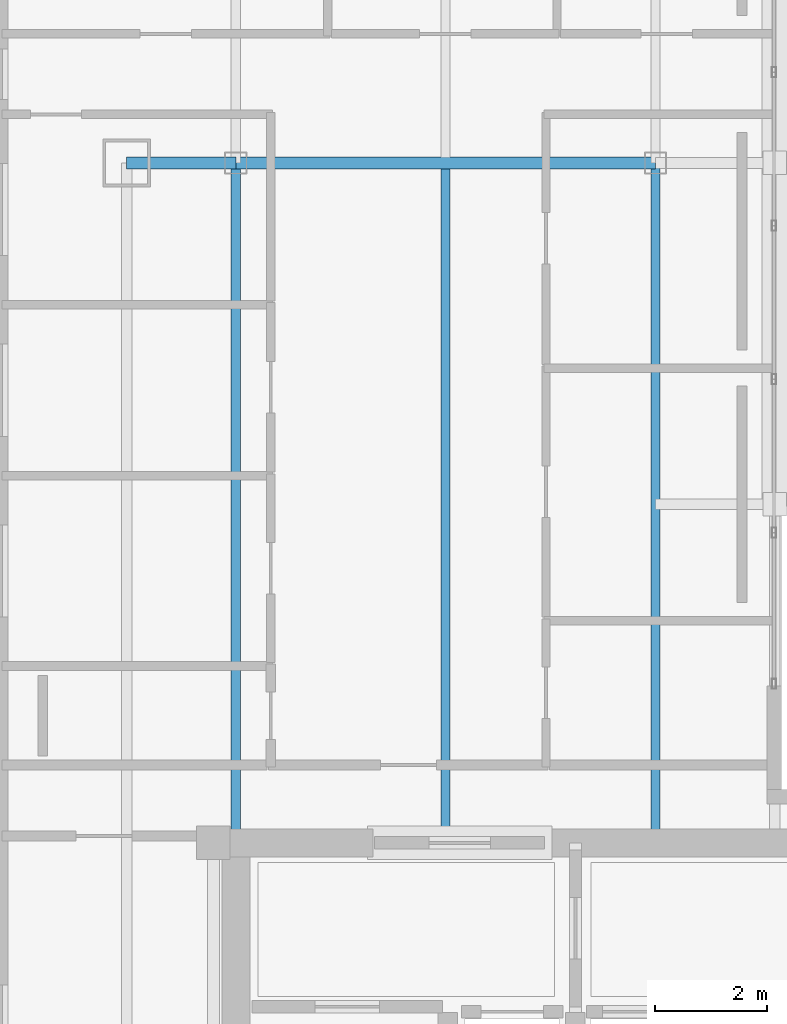
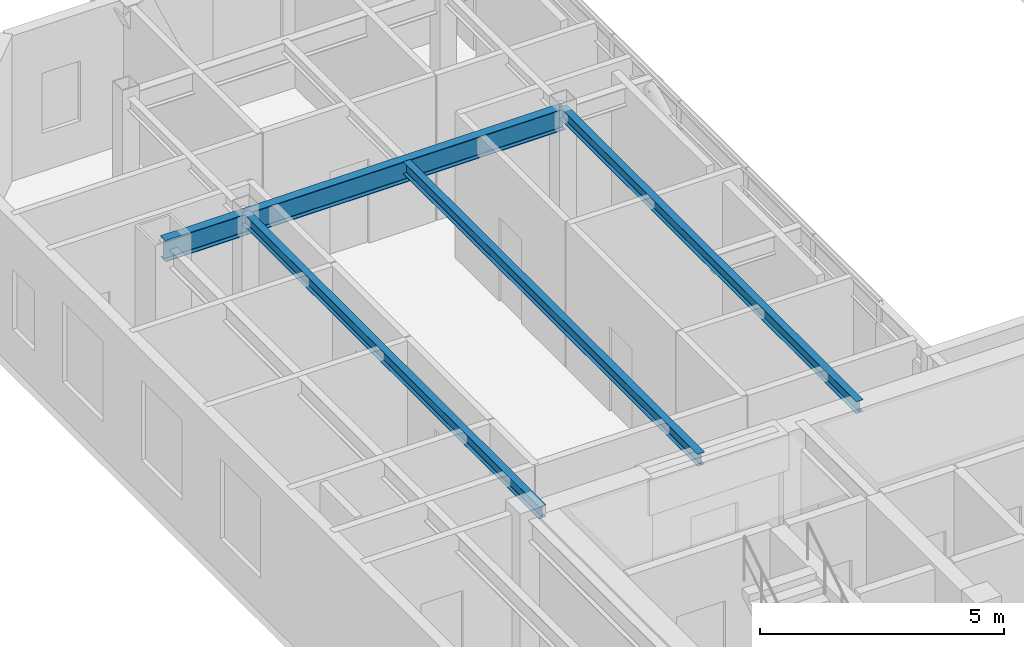
# One storey, part 5 of 18: 5 beams.
"""IFC4 building model written with IfcOpenShell, lengths in metres."""

import ifcopenshell
import ifcopenshell.guid

model = None  # the IFC model being written
_history = None  # IfcOwnerHistory: only IFC2X3 demands one
_inside = {}  # id of a spatial element -> (the spatial element, [elements in it])
_under = {}  # id of a project, library or spatial element -> (it, [spatial elements below it])
_declared = {}  # id of a project -> (the project, [libraries it declares])
_typed = {}  # id of a type object -> (the type object, [elements of that type])
_made_of = {}  # id of a material, layer set ... -> (it, [elements and type objects made of it])


def new_model(schema):
    """Start an empty IFC model of exactly this schema.

    Asked for "IFC4X3", IfcOpenShell would pick the latest addendum, in which some entities
    have other attributes; the version numbers below select the first issue.
    IFC2X3 requires an IfcOwnerHistory on every rooted entity: one is made here for all.
    """
    global model, _history
    if schema == "IFC4X3":
        model = ifcopenshell.file(schema_version=(4, 3, 0, 0))
    else:
        model = ifcopenshell.file(schema=schema)
    _inside.clear()
    _under.clear()
    _declared.clear()
    _typed.clear()
    _made_of.clear()
    _history = None
    if model.schema == "IFC2X3":
        org = make("IfcOrganization", Name="unknown")
        user = make(
            "IfcPersonAndOrganization",
            ThePerson=make("IfcPerson", FamilyName="unknown"),
            TheOrganization=org,
        )
        app = make(
            "IfcApplication",
            ApplicationDeveloper=org,
            Version="unknown",
            ApplicationFullName="unknown",
            ApplicationIdentifier="unknown",
        )
        _history = make(
            "IfcOwnerHistory",
            OwningUser=user,
            OwningApplication=app,
            ChangeAction="ADDED",
            CreationDate=0,
        )
    return model


def make(cls, **values):
    """One entity of the class cls with the attributes given. An attribute that is None is left unset."""
    return model.create_entity(
        cls, **{name: value for name, value in values.items() if value is not None}
    )


def rooted(cls, **values):
    """An entity with a GlobalId (a new one), such as an element, a storey or a relation."""
    return make(cls, GlobalId=ifcopenshell.guid.new(), OwnerHistory=_history, **values)


def si_unit(unit_type, name, prefix=None):
    """IfcSIUnit, for example si_unit("LENGTHUNIT", "METRE", prefix="MILLI")."""
    return make("IfcSIUnit", UnitType=unit_type, Prefix=prefix, Name=name)


def assignment(units):
    """IfcUnitAssignment: the units of a project."""
    return None if units is None else make("IfcUnitAssignment", Units=units)


def point(xyz):
    """IfcCartesianPoint."""
    return None if xyz is None else make("IfcCartesianPoint", Coordinates=xyz)


def direction(xyz):
    """IfcDirection."""
    return None if xyz is None else make("IfcDirection", DirectionRatios=xyz)


def frame(location, z_axis=None, x_axis=None):
    """IfcAxis2Placement3D, a coordinate frame: its origin and axes. An axis left out is left unset."""
    return make(
        "IfcAxis2Placement3D",
        Location=point(location),
        Axis=direction(z_axis),
        RefDirection=direction(x_axis),
    )


def frame_2d(location, x_axis=None):
    """IfcAxis2Placement2D, a coordinate frame in the plane: its origin and x axis."""
    return make(
        "IfcAxis2Placement2D", Location=point(location), RefDirection=direction(x_axis)
    )


def origin():
    """The frame at (0, 0, 0) with its axes left unset."""
    return frame((0.0, 0.0, 0.0))


def origin_2d():
    """The frame at (0, 0) in the plane with its x axis left unset."""
    return frame_2d((0.0, 0.0))


def place(relative_to, where):
    """IfcLocalPlacement: puts the frame where relative to a parent placement (None: the world)."""
    return make(
        "IfcLocalPlacement", PlacementRelTo=relative_to, RelativePlacement=where
    )


def context(
    kind, dimensions, precision=None, world=None, true_north=None, identifier=None
):
    """IfcGeometricRepresentationContext, for example the 3D "Model" context."""
    return make(
        "IfcGeometricRepresentationContext",
        ContextIdentifier=identifier,
        ContextType=kind,
        CoordinateSpaceDimension=dimensions,
        Precision=precision,
        WorldCoordinateSystem=world,
        TrueNorth=true_north,
    )


def subcontext(parent, identifier, kind, view, scale=None):
    """IfcGeometricRepresentationSubContext, for example "Body" below "Model"."""
    return make(
        "IfcGeometricRepresentationSubContext",
        ContextIdentifier=identifier,
        ContextType=kind,
        ParentContext=parent,
        TargetScale=scale,
        TargetView=view,
    )


def project(units=None, contexts=None):
    """IfcProject with its units and contexts."""
    return rooted(
        "IfcProject",
        Name="project",
        RepresentationContexts=contexts,
        UnitsInContext=assignment(units),
    )


def spatial(cls, under=None, at=None, **own):
    """A site, building, storey or space (cls), placed at a placement, below another one or the project."""
    s = rooted(cls, ObjectPlacement=at, **own)
    if under is not None:
        _under.setdefault(under.id(), (under, []))[1].append(s)
    return s


def profile(cls, at=None, kind="AREA", **sizes):
    """A parametric profile (cls). Its sizes go by their IFC names, for example OverallWidth=200.0."""
    return make(cls, ProfileType=kind, Position=at, **sizes)


def i_section(**sizes):
    """IfcIShapeProfileDef."""
    return profile("IfcIShapeProfileDef", **sizes)


def extrude(swept, where, along, depth):
    """IfcExtrudedAreaSolid: the profile swept, set in the frame where, extruded along a direction by depth."""
    return make(
        "IfcExtrudedAreaSolid",
        SweptArea=swept,
        Position=where,
        ExtrudedDirection=direction(along),
        Depth=depth,
    )


def shape(context_of_items, identifier, shape_type, items):
    """IfcShapeRepresentation: the items that make up one representation, for example the "Body"."""
    return make(
        "IfcShapeRepresentation",
        ContextOfItems=context_of_items,
        RepresentationIdentifier=identifier,
        RepresentationType=shape_type,
        Items=items,
    )


def material(Name=None, Category=None):
    """IfcMaterial."""
    return make("IfcMaterial", Name=Name, Category=Category)


def material_profile(
    of_material, cross_section, Name=None, Category=None, Priority=None
):
    """IfcMaterialProfile: a cross section and its material."""
    return make(
        "IfcMaterialProfile",
        Name=Name,
        Material=of_material,
        Profile=cross_section,
        Priority=Priority,
        Category=Category,
    )


def profile_set(profiles, Name=None, composite=None):
    """IfcMaterialProfileSet."""
    return make(
        "IfcMaterialProfileSet",
        Name=Name,
        MaterialProfiles=profiles,
        CompositeProfile=composite,
    )


def made_of(thing, what):
    """Note that an element or type object is made of a material, layer set ...; save() writes the relation."""
    if what is not None:
        _made_of.setdefault(what.id(), (what, []))[1].append(thing)
    return thing


def type_object(cls, material=None, **own):
    """A type object (cls), such as IfcWallType, which elements share."""
    return made_of(rooted(cls, **own), material)


def element(
    cls,
    number,
    at=None,
    inside=None,
    cuts=None,
    type_object=None,
    material=None,
    context=None,
    identifier="Body",
    shape_type=None,
    held_by="IfcProductDefinitionShape",
    body=None,
    shapes=None,
    **own,
):
    """One element of the class cls, such as IfcWall. Its Tag is "e" and its number.

    at: its placement. inside: the storey or other place that contains it. cuts: it is an
    opening in that element (IfcRelVoidsElement). A single representation is given by context,
    identifier, shape_type and body (its items); several are given by shapes. held_by: the class
    of the entity that holds the representations. save() writes the other relations.
    """
    e = rooted(cls, Tag="e%d" % number, ObjectPlacement=at, **own)
    if body is not None:
        shapes = [shape(context, identifier, shape_type, body)]
    if shapes is not None:
        e.Representation = make(held_by, Representations=shapes)
    if inside is not None:
        _inside.setdefault(inside.id(), (inside, []))[1].append(e)
    if cuts is not None:
        rooted(
            "IfcRelVoidsElement", RelatingBuildingElement=cuts, RelatedOpeningElement=e
        )
    if type_object is not None:
        _typed.setdefault(type_object.id(), (type_object, []))[1].append(e)
    return made_of(e, material)


def aggregate(whole, parts):
    """IfcRelAggregates: a whole, such as a stair, and the parts it consists of."""
    return rooted("IfcRelAggregates", RelatingObject=whole, RelatedObjects=parts)


def save(model, path):
    """Write the relations noted so far, then the file.

    IfcRelAggregates (storeys below a building ...), IfcRelContainedInSpatialStructure (elements
    in a storey), IfcRelDefinesByType, IfcRelAssociatesMaterial and IfcRelDeclares: one each for
    every whole, place, type object, material and project.
    """
    for whole, parts in _under.values():
        aggregate(whole, parts)
    for where, things in _inside.values():
        rooted(
            "IfcRelContainedInSpatialStructure",
            RelatedElements=things,
            RelatingStructure=where,
        )
    for kind, things in _typed.values():
        rooted("IfcRelDefinesByType", RelatedObjects=things, RelatingType=kind)
    for what, things in _made_of.values():
        rooted("IfcRelAssociatesMaterial", RelatedObjects=things, RelatingMaterial=what)
    for by, libraries in _declared.values():
        rooted("IfcRelDeclares", RelatingContext=by, RelatedDefinitions=libraries)
    model.write(path)


model = new_model("IFC4")

# Units and contexts
model_context = context("Model", 3, precision=1e-05, world=origin(), true_north=direction((0.0, 1.0)))
body_context = subcontext(model_context, "Body", "Model", "MODEL_VIEW")
ifc_project = project(units=[si_unit("LENGTHUNIT", "METRE"), si_unit("AREAUNIT", "SQUARE_METRE"), si_unit("VOLUMEUNIT", "CUBIC_METRE"), si_unit("PLANEANGLEUNIT", "RADIAN"), si_unit("MASSUNIT", "GRAM", prefix="KILO")], contexts=[model_context])

# Site, building, storey
site_placement = place(None, origin())
site = spatial("IfcSite", under=ifc_project, at=site_placement, CompositionType="ELEMENT")
building_placement = place(site_placement, origin())
building = spatial("IfcBuilding", under=site, at=building_placement, Name="Ventersveld Concourse Tower", CompositionType="ELEMENT")
storey_placement = place(building_placement, frame((0.0, 0.0, 341.35009765625)))
storey = spatial("IfcBuildingStorey", under=building, at=storey_placement, Name="L84", CompositionType="ELEMENT", Elevation=341.35009765625)

# Beams
ifc_material = material(Name="Structural steel S355J2", Category="steel")
ifc_material_profile_1 = material_profile(ifc_material, i_section(OverallWidth=0.1650390625, OverallDepth=0.303466796875, WebThickness=0.006103515625, FlangeThickness=0.01025390625, FilletRadius=0.0087890625, at=origin_2d()), Name="UB 305x165x40")
ifc_profile_set_1 = profile_set([ifc_material_profile_1], Name="Structural steel S355J2")
beam_type_1 = type_object("IfcBeamType", Name="BM-UB305", PredefinedType="BEAM", material=ifc_profile_set_1)
beam_1_placement = place(storey_placement, frame((13.75, 11.449951171875, 3.478271484375), z_axis=(0.0, 1.0, 0.0), x_axis=(-1.0, 0.0, 0.0)))
element("IfcBeam", 1, at=beam_1_placement, inside=storey, type_object=beam_type_1, Name="L84 N-S Composite Floor Beam South X=13.75", PredefinedType="BEAM", context=body_context, shape_type="SweptSolid", body=[
    extrude(i_section(OverallWidth=0.1650390625, OverallDepth=0.303466796875, WebThickness=0.006103515625, FlangeThickness=0.01025390625, FilletRadius=0.0087890625, at=origin_2d()), origin(), (0.0, 0.0, 1.0), 12.150146484375),
])
beam_2_placement = place(storey_placement, frame((17.5, 11.449951171875, 3.478271484375), z_axis=(0.0, 1.0, 0.0), x_axis=(-1.0, 0.0, 0.0)))
element("IfcBeam", 2, at=beam_2_placement, inside=storey, type_object=beam_type_1, Name="L84 N-S Composite Floor Beam South X=17.50", PredefinedType="BEAM", context=body_context, shape_type="SweptSolid", body=[
    extrude(i_section(OverallWidth=0.1650390625, OverallDepth=0.303466796875, WebThickness=0.006103515625, FlangeThickness=0.01025390625, FilletRadius=0.0087890625, at=origin_2d()), origin(), (0.0, 0.0, 1.0), 12.054931640625),
])
beam_3_placement = place(storey_placement, frame((21.25, 11.449951171875, 3.478271484375), z_axis=(0.0, 1.0, 0.0), x_axis=(-1.0, 0.0, 0.0)))
element("IfcBeam", 3, at=beam_3_placement, inside=storey, type_object=beam_type_1, Name="L84 N-S Composite Floor Beam South X=21.25", PredefinedType="BEAM", context=body_context, shape_type="SweptSolid", body=[
    extrude(i_section(OverallWidth=0.1650390625, OverallDepth=0.303466796875, WebThickness=0.006103515625, FlangeThickness=0.01025390625, FilletRadius=0.0087890625, at=origin_2d()), origin(), (0.0, 0.0, 1.0), 12.150146484375),
])
ifc_material_profile_2 = material_profile(ifc_material, i_section(OverallWidth=0.209228515625, OverallDepth=0.533203125, WebThickness=0.010009765625, FlangeThickness=0.015625, FilletRadius=0.0126953125, at=origin_2d()), Name="UB 533x210x92")
ifc_profile_set_2 = profile_set([ifc_material_profile_2], Name="Structural steel S355J2")
beam_type_2 = type_object("IfcBeamType", Name="GRD-UB533", PredefinedType="T_BEAM", material=ifc_profile_set_2)
beam_4_placement = place(storey_placement, frame((11.800048828125, 23.60009765625, 3.36328125), z_axis=(1.0, 0.0, 0.0), x_axis=(0.0, 1.0, 0.0)))
element("IfcBeam", 4, at=beam_4_placement, inside=storey, type_object=beam_type_2, Name="L84 Primary E-W Grid Girder Y=23.60 #1", PredefinedType="T_BEAM", context=body_context, shape_type="SweptSolid", body=[
    extrude(i_section(OverallWidth=0.209228515625, OverallDepth=0.533203125, WebThickness=0.010009765625, FlangeThickness=0.015625, FilletRadius=0.0126953125, at=origin_2d()), origin(), (0.0, 0.0, 1.0), 1.949951171875),
])
beam_5_placement = place(storey_placement, frame((13.75, 23.60009765625, 3.36328125), z_axis=(1.0, 0.0, 0.0), x_axis=(0.0, 1.0, 0.0)))
element("IfcBeam", 5, at=beam_5_placement, inside=storey, type_object=beam_type_2, Name="L84 Primary E-W Grid Girder Y=23.60 #2", PredefinedType="T_BEAM", context=body_context, shape_type="SweptSolid", body=[
    extrude(i_section(OverallWidth=0.209228515625, OverallDepth=0.533203125, WebThickness=0.010009765625, FlangeThickness=0.015625, FilletRadius=0.0126953125, at=origin_2d()), origin(), (0.0, 0.0, 1.0), 7.5),
])

save(model, "model.ifc")
